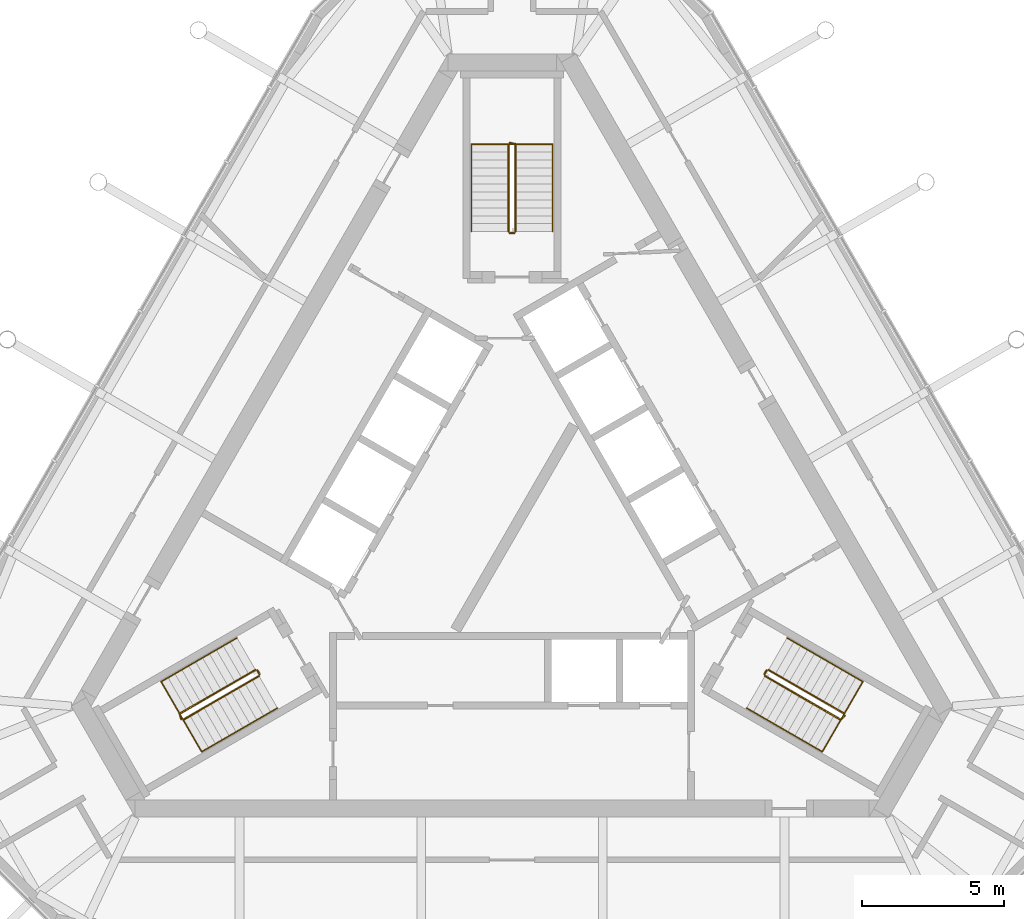
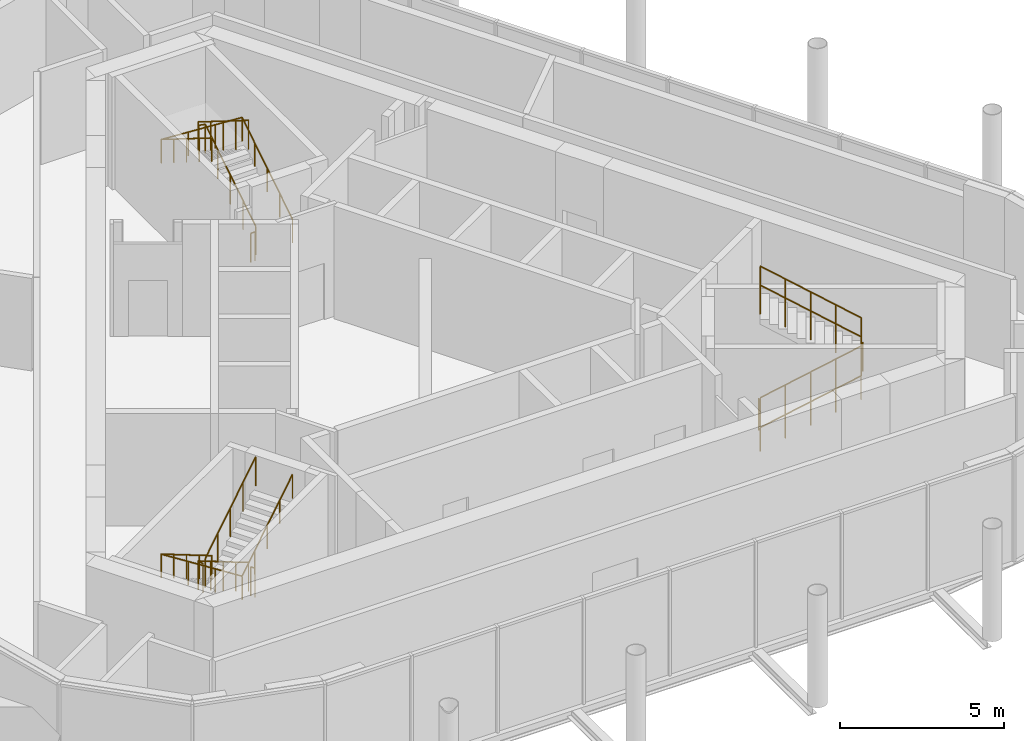
# One storey, part 11 of 11: 12 railings.
"""IFC4 building model written with IfcOpenShell, lengths in metres."""

from ifc_helpers import new_model, si_unit, direction, frame, origin, origin_2d, place, context, subcontext, project, spatial, circle, extrude, material, type_object, element, save


model = new_model("IFC4")

# Units and contexts
model_context = context("Model", 3, precision=1e-05, world=origin(), true_north=direction((0.0, 1.0)))
body_context = subcontext(model_context, "Body", "Model", "MODEL_VIEW")
ifc_project = project(units=[si_unit("LENGTHUNIT", "METRE"), si_unit("AREAUNIT", "SQUARE_METRE"), si_unit("VOLUMEUNIT", "CUBIC_METRE"), si_unit("PLANEANGLEUNIT", "RADIAN"), si_unit("MASSUNIT", "GRAM", prefix="KILO")], contexts=[model_context])

# Site, building, storey
site_placement = place(None, origin())
site = spatial("IfcSite", under=ifc_project, at=site_placement, CompositionType="ELEMENT")
building_placement = place(site_placement, origin())
building = spatial("IfcBuilding", under=site, at=building_placement, Name="Mestral Congress Tower", CompositionType="ELEMENT")
storey_placement = place(building_placement, frame((0.0, 0.0, 340.199951171875)))
storey = spatial("IfcBuildingStorey", under=building, at=storey_placement, Name="L79", CompositionType="ELEMENT", Elevation=340.199951171875)

# Railings
ifc_material_1 = material(Name="Steel balustrade", Category="steel")
railing_type_1 = type_object("IfcRailingType", Name="Stair guard 1100", PredefinedType="GUARDRAIL", material=ifc_material_1)
railing_1_placement = place(storey_placement, frame((8.90087890625, -5.283203125, 0.175048828125)))
element("IfcRailing", 1, at=railing_1_placement, inside=storey, type_object=railing_type_1, Name="L79 ST1 stair guard 1", PredefinedType="GUARDRAIL", context=body_context, shape_type="SweptSolid", body=[
    extrude(circle(Radius=0.02392578125, at=origin_2d()), frame((0.0, 0.0, 1.076171875), z_axis=(0.734364028329, -0.424015404183, 0.530019255228), x_axis=(0.500026652407, 0.866010015463, 0.0)), (0.0, 0.0, 1.0), 3.632080078125),
    extrude(circle(Radius=0.02392578125, at=origin_2d()), frame((2.667236328125, -1.5400390625, 3.0009765625), z_axis=(0.695164929852, 0.718850276695, 0.0), x_axis=(-0.718850276695, 0.695164929852, 0.0)), (0.0, 0.0, 1.0), 0.2060546875),
    extrude(circle(Radius=0.02099609375, at=origin_2d()), origin(), (0.0, 0.0, 1.0), 1.052001953125),
    extrude(circle(Radius=0.02099609375, at=origin_2d()), frame((0.666748046875, -0.385009765625, 0.481201171875)), (0.0, 0.0, 1.0), 1.052001953125),
    extrude(circle(Radius=0.02099609375, at=origin_2d()), frame((1.33349609375, -0.77001953125, 0.96240234375)), (0.0, 0.0, 1.0), 1.052001953125),
    extrude(circle(Radius=0.02099609375, at=origin_2d()), frame((2.00048828125, -1.155029296875, 1.44384765625)), (0.0, 0.0, 1.0), 1.052001953125),
    extrude(circle(Radius=0.02099609375, at=origin_2d()), frame((2.667236328125, -1.5400390625, 1.925048828125)), (0.0, 0.0, 1.0), 1.052001953125),
    extrude(circle(Radius=0.02099609375, at=origin_2d()), frame((2.810546875, -1.391845703125, 1.925048828125)), (0.0, 0.0, 1.0), 1.052001953125),
])
railing_2_placement = place(storey_placement, frame((11.693115234375, -6.606689453125, 2.275146484375)))
element("IfcRailing", 2, at=railing_2_placement, inside=storey, type_object=railing_type_1, Name="L79 ST1 stair guard 2", PredefinedType="GUARDRAIL", context=body_context, shape_type="SweptSolid", body=[
    extrude(circle(Radius=0.02392578125, at=origin_2d()), frame((0.0, 0.0, 1.076171875), z_axis=(-0.734390191396, 0.42403051051, 0.529970917068), x_axis=(-0.500026652407, -0.866010015463, 0.0)), (0.0, 0.0, 1.0), 3.6318359375),
    extrude(circle(Radius=0.02099609375, at=origin_2d()), origin(), (0.0, 0.0, 1.0), 1.052001953125),
    extrude(circle(Radius=0.02099609375, at=origin_2d()), frame((-0.666748046875, 0.385009765625, 0.481201171875)), (0.0, 0.0, 1.0), 1.052001953125),
    extrude(circle(Radius=0.02099609375, at=origin_2d()), frame((-1.33349609375, 0.77001953125, 0.96240234375)), (0.0, 0.0, 1.0), 1.052001953125),
    extrude(circle(Radius=0.02099609375, at=origin_2d()), frame((-2.00048828125, 1.155029296875, 1.443603515625)), (0.0, 0.0, 1.0), 1.052001953125),
    extrude(circle(Radius=0.02099609375, at=origin_2d()), frame((-2.667236328125, 1.5400390625, 1.9248046875)), (0.0, 0.0, 1.0), 1.052001953125),
])
railing_3_placement = place(storey_placement, frame((8.882568359375, -5.21484375, 0.0)))
element("IfcRailing", 3, at=railing_3_placement, inside=storey, type_object=railing_type_1, Name="L79 ST1 stair guard 3", PredefinedType="GUARDRAIL", context=body_context, shape_type="SweptSolid", body=[
    extrude(circle(Radius=0.02392578125, at=origin_2d()), frame((0.0, 0.0, 1.076171875), z_axis=(0.499816412211, 0.866131372301, 0.0), x_axis=(-0.866131372301, 0.499816412211, 0.0)), (0.0, 0.0, 1.0), 0.14990234375),
    extrude(circle(Radius=0.02099609375, at=origin_2d()), origin(), (0.0, 0.0, 1.0), 1.052001953125),
    extrude(circle(Radius=0.02099609375, at=origin_2d()), frame((0.074951171875, 0.1298828125, 0.0)), (0.0, 0.0, 1.0), 1.052001953125),
])
railing_4_placement = place(storey_placement, frame((0.125, 10.35009765625, 0.175048828125)))
element("IfcRailing", 4, at=railing_4_placement, inside=storey, type_object=railing_type_1, Name="L79 ST2 stair guard 1", PredefinedType="GUARDRAIL", context=body_context, shape_type="SweptSolid", body=[
    extrude(circle(Radius=0.02392578125, at=origin_2d()), frame((0.0, 0.0, 1.076171875), z_axis=(0.0, 0.847979421464, 0.530029150871), x_axis=(-1.0, 0.0, 0.0)), (0.0, 0.0, 1.0), 3.632080078125),
    extrude(circle(Radius=0.02392578125, at=origin_2d()), frame((0.0, 3.079833984375, 3.0009765625), z_axis=(-0.970072785993, 0.242814311512, 0.0), x_axis=(-0.242814311512, -0.970072785993, 0.0)), (0.0, 0.0, 1.0), 0.2060546875),
    extrude(circle(Radius=0.02099609375, at=origin_2d()), origin(), (0.0, 0.0, 1.0), 1.052001953125),
    extrude(circle(Radius=0.02099609375, at=origin_2d()), frame((0.0, 0.77001953125, 0.481201171875)), (0.0, 0.0, 1.0), 1.052001953125),
    extrude(circle(Radius=0.02099609375, at=origin_2d()), frame((0.0, 1.5400390625, 0.96240234375)), (0.0, 0.0, 1.0), 1.052001953125),
    extrude(circle(Radius=0.02099609375, at=origin_2d()), frame((0.0, 2.309814453125, 1.44384765625)), (0.0, 0.0, 1.0), 1.052001953125),
    extrude(circle(Radius=0.02099609375, at=origin_2d()), frame((0.0, 3.079833984375, 1.925048828125)), (0.0, 0.0, 1.0), 1.052001953125),
    extrude(circle(Radius=0.02099609375, at=origin_2d()), frame((-0.199951171875, 3.1298828125, 1.925048828125)), (0.0, 0.0, 1.0), 1.052001953125),
])
railing_5_placement = place(storey_placement, frame((-0.125, 13.429931640625, 2.275146484375)))
element("IfcRailing", 5, at=railing_5_placement, inside=storey, type_object=railing_type_1, Name="L79 ST2 stair guard 2", PredefinedType="GUARDRAIL", context=body_context, shape_type="SweptSolid", body=[
    extrude(circle(Radius=0.02392578125, at=origin_2d()), frame((0.0, 0.0, 1.076171875), z_axis=(0.0, -0.848009633417, 0.529980812513), x_axis=(1.0, 0.0, 0.0)), (0.0, 0.0, 1.0), 3.6318359375),
    extrude(circle(Radius=0.02099609375, at=origin_2d()), origin(), (0.0, 0.0, 1.0), 1.052001953125),
    extrude(circle(Radius=0.02099609375, at=origin_2d()), frame((0.0, -0.77001953125, 0.481201171875)), (0.0, 0.0, 1.0), 1.052001953125),
    extrude(circle(Radius=0.02099609375, at=origin_2d()), frame((0.0, -1.5400390625, 0.96240234375)), (0.0, 0.0, 1.0), 1.052001953125),
    extrude(circle(Radius=0.02099609375, at=origin_2d()), frame((0.0, -2.309814453125, 1.443603515625)), (0.0, 0.0, 1.0), 1.052001953125),
    extrude(circle(Radius=0.02099609375, at=origin_2d()), frame((0.0, -3.079833984375, 1.9248046875)), (0.0, 0.0, 1.0), 1.052001953125),
])
railing_6_placement = place(storey_placement, frame((0.074951171875, 10.300048828125, 0.0)))
element("IfcRailing", 6, at=railing_6_placement, inside=storey, type_object=railing_type_1, Name="L79 ST2 stair guard 3", PredefinedType="GUARDRAIL", context=body_context, shape_type="SweptSolid", body=[
    extrude(circle(Radius=0.02392578125, at=origin_2d()), frame((0.0, 0.0, 1.076171875), z_axis=(-1.0, 0.0, 0.0), x_axis=(0.0, -1.0, 0.0)), (0.0, 0.0, 1.0), 0.14990234375),
    extrude(circle(Radius=0.02099609375, at=origin_2d()), origin(), (0.0, 0.0, 1.0), 1.052001953125),
    extrude(circle(Radius=0.02099609375, at=origin_2d()), frame((-0.14990234375, 0.0, 0.0)), (0.0, 0.0, 1.0), 1.052001953125),
])
railing_7_placement = place(storey_placement, frame((-9.02587890625, -5.066650390625, 0.175048828125)))
element("IfcRailing", 7, at=railing_7_placement, inside=storey, type_object=railing_type_1, Name="L79 ST3 stair guard 1", PredefinedType="GUARDRAIL", context=body_context, shape_type="SweptSolid", body=[
    extrude(circle(Radius=0.02392578125, at=origin_2d()), frame((0.0, 0.0, 1.076171875), z_axis=(-0.734364028329, -0.424015404183, 0.530019255228), x_axis=(0.500026652407, -0.866010015463, 0.0)), (0.0, 0.0, 1.0), 3.632080078125),
    extrude(circle(Radius=0.02392578125, at=origin_2d()), frame((-2.667236328125, -1.5400390625, 3.0009765625), z_axis=(0.274721127897, -0.961523947641, 0.0), x_axis=(0.961523947641, 0.274721127897, 0.0)), (0.0, 0.0, 1.0), 0.2060546875),
    extrude(circle(Radius=0.02099609375, at=origin_2d()), origin(), (0.0, 0.0, 1.0), 1.052001953125),
    extrude(circle(Radius=0.02099609375, at=origin_2d()), frame((-0.666748046875, -0.385009765625, 0.481201171875)), (0.0, 0.0, 1.0), 1.052001953125),
    extrude(circle(Radius=0.02099609375, at=origin_2d()), frame((-1.33349609375, -0.77001953125, 0.96240234375)), (0.0, 0.0, 1.0), 1.052001953125),
    extrude(circle(Radius=0.02099609375, at=origin_2d()), frame((-2.00048828125, -1.155029296875, 1.44384765625)), (0.0, 0.0, 1.0), 1.052001953125),
    extrude(circle(Radius=0.02099609375, at=origin_2d()), frame((-2.667236328125, -1.5400390625, 1.925048828125)), (0.0, 0.0, 1.0), 1.052001953125),
    extrude(circle(Radius=0.02099609375, at=origin_2d()), frame((-2.610595703125, -1.73828125, 1.925048828125)), (0.0, 0.0, 1.0), 1.052001953125),
])
railing_8_placement = place(storey_placement, frame((-11.568115234375, -6.8232421875, 2.275146484375)))
element("IfcRailing", 8, at=railing_8_placement, inside=storey, type_object=railing_type_1, Name="L79 ST3 stair guard 2", PredefinedType="GUARDRAIL", context=body_context, shape_type="SweptSolid", body=[
    extrude(circle(Radius=0.02392578125, at=origin_2d()), frame((0.0, 0.0, 1.076171875), z_axis=(0.734390191396, 0.42403051051, 0.529970917068), x_axis=(-0.500026652407, 0.866010015463, 0.0)), (0.0, 0.0, 1.0), 3.6318359375),
    extrude(circle(Radius=0.02099609375, at=origin_2d()), origin(), (0.0, 0.0, 1.0), 1.052001953125),
    extrude(circle(Radius=0.02099609375, at=origin_2d()), frame((0.666748046875, 0.385009765625, 0.481201171875)), (0.0, 0.0, 1.0), 1.052001953125),
    extrude(circle(Radius=0.02099609375, at=origin_2d()), frame((1.33349609375, 0.77001953125, 0.96240234375)), (0.0, 0.0, 1.0), 1.052001953125),
    extrude(circle(Radius=0.02099609375, at=origin_2d()), frame((2.00048828125, 1.155029296875, 1.443603515625)), (0.0, 0.0, 1.0), 1.052001953125),
    extrude(circle(Radius=0.02099609375, at=origin_2d()), frame((2.667236328125, 1.5400390625, 1.9248046875)), (0.0, 0.0, 1.0), 1.052001953125),
])
railing_9_placement = place(storey_placement, frame((-8.95751953125, -5.0849609375, 0.0)))
element("IfcRailing", 9, at=railing_9_placement, inside=storey, type_object=railing_type_1, Name="L79 ST3 stair guard 3", PredefinedType="GUARDRAIL", context=body_context, shape_type="SweptSolid", body=[
    extrude(circle(Radius=0.02392578125, at=origin_2d()), frame((0.0, 0.0, 1.076171875), z_axis=(0.499816412211, -0.866131372301, 0.0), x_axis=(0.866131372301, 0.499816412211, 0.0)), (0.0, 0.0, 1.0), 0.14990234375),
    extrude(circle(Radius=0.02099609375, at=origin_2d()), origin(), (0.0, 0.0, 1.0), 1.052001953125),
    extrude(circle(Radius=0.02099609375, at=origin_2d()), frame((0.074951171875, -0.1298828125, 0.0)), (0.0, 0.0, 1.0), 1.052001953125),
])
ifc_material_2 = material(Name="Steel handrail", Category="steel")
railing_type_2 = type_object("IfcRailingType", Name="Stair handrail 900", PredefinedType="HANDRAIL", material=ifc_material_2)
railing_10_placement = place(storey_placement, frame((8.2509765625, -6.4091796875, 0.175048828125)))
element("IfcRailing", 10, at=railing_10_placement, inside=storey, type_object=railing_type_2, Name="L79 ST1 stair handrail 1", PredefinedType="HANDRAIL", context=body_context, shape_type="SweptSolid", body=[
    extrude(circle(Radius=0.02392578125, at=origin_2d()), frame((0.0, 0.0, 0.8759765625), z_axis=(0.734384958227, -0.423960268333, 0.530034361155), x_axis=(0.499967199496, 0.866044340336, 0.0)), (0.0, 0.0, 1.0), 3.6318359375),
    extrude(circle(Radius=0.02392578125, at=origin_2d()), frame((2.667236328125, -1.539794921875, 2.80078125), z_axis=(0.499095769026, 0.864375386171, 0.061307463833), x_axis=(-0.866004402611, 0.500036373335, 0.0)), (0.0, 0.0, 1.0), 2.855224609375),
    extrude(circle(Radius=0.02392578125, at=origin_2d()), frame((4.09228515625, 0.92822265625, 2.97607421875), z_axis=(-0.734421155904, 0.424009578203, 0.529944755001), x_axis=(-0.499992328818, -0.866029832698, 0.0)), (0.0, 0.0, 1.0), 3.632080078125),
    extrude(circle(Radius=0.02099609375, at=origin_2d()), origin(), (0.0, 0.0, 1.0), 0.851806640625),
    extrude(circle(Radius=0.02099609375, at=origin_2d()), frame((0.666748046875, -0.385009765625, 0.481201171875)), (0.0, 0.0, 1.0), 0.851806640625),
    extrude(circle(Radius=0.02099609375, at=origin_2d()), frame((1.33349609375, -0.77001953125, 0.96240234375)), (0.0, 0.0, 1.0), 0.851806640625),
    extrude(circle(Radius=0.02099609375, at=origin_2d()), frame((2.00048828125, -1.15478515625, 1.44384765625)), (0.0, 0.0, 1.0), 0.851806640625),
    extrude(circle(Radius=0.02099609375, at=origin_2d()), frame((2.667236328125, -1.539794921875, 1.925048828125)), (0.0, 0.0, 1.0), 0.851806640625),
    extrude(circle(Radius=0.02099609375, at=origin_2d()), frame((3.142333984375, -0.717041015625, 1.9833984375)), (0.0, 0.0, 1.0), 0.851806640625),
    extrude(circle(Radius=0.02099609375, at=origin_2d()), frame((3.6171875, 0.10546875, 2.041748046875)), (0.0, 0.0, 1.0), 0.851806640625),
    extrude(circle(Radius=0.02099609375, at=origin_2d()), frame((4.09228515625, 0.92822265625, 2.10009765625)), (0.0, 0.0, 1.0), 0.851806640625),
    extrude(circle(Radius=0.02099609375, at=origin_2d()), frame((3.42529296875, 1.313232421875, 2.581298828125)), (0.0, 0.0, 1.0), 0.851806640625),
    extrude(circle(Radius=0.02099609375, at=origin_2d()), frame((2.758544921875, 1.6982421875, 3.0625)), (0.0, 0.0, 1.0), 0.851806640625),
    extrude(circle(Radius=0.02099609375, at=origin_2d()), frame((2.091796875, 2.083251953125, 3.543701171875)), (0.0, 0.0, 1.0), 0.851806640625),
    extrude(circle(Radius=0.02099609375, at=origin_2d()), frame((1.4248046875, 2.46826171875, 4.02490234375)), (0.0, 0.0, 1.0), 0.851806640625),
])
railing_11_placement = place(storey_placement, frame((1.425048828125, 10.35009765625, 0.175048828125)))
element("IfcRailing", 11, at=railing_11_placement, inside=storey, type_object=railing_type_2, Name="L79 ST2 stair handrail 1", PredefinedType="HANDRAIL", context=body_context, shape_type="SweptSolid", body=[
    extrude(circle(Radius=0.02392578125, at=origin_2d()), frame((0.0, 0.0, 0.8759765625), z_axis=(0.0, 0.847979421464, 0.530029150871), x_axis=(-1.0, 0.0, 0.0)), (0.0, 0.0, 1.0), 3.632080078125),
    extrude(circle(Radius=0.02392578125, at=origin_2d()), frame((0.0, 3.079833984375, 2.80078125), z_axis=(-0.998119201106, 0.0, 0.061303021003), x_axis=(0.0, -1.0, 0.0)), (0.0, 0.0, 1.0), 2.85546875),
    extrude(circle(Radius=0.02392578125, at=origin_2d()), frame((-2.85009765625, 3.079833984375, 2.97607421875), z_axis=(0.0, -0.848009633417, 0.529980812513), x_axis=(1.0, 0.0, 0.0)), (0.0, 0.0, 1.0), 3.6318359375),
    extrude(circle(Radius=0.02099609375, at=origin_2d()), origin(), (0.0, 0.0, 1.0), 0.851806640625),
    extrude(circle(Radius=0.02099609375, at=origin_2d()), frame((0.0, 0.77001953125, 0.481201171875)), (0.0, 0.0, 1.0), 0.851806640625),
    extrude(circle(Radius=0.02099609375, at=origin_2d()), frame((0.0, 1.5400390625, 0.96240234375)), (0.0, 0.0, 1.0), 0.851806640625),
    extrude(circle(Radius=0.02099609375, at=origin_2d()), frame((0.0, 2.309814453125, 1.44384765625)), (0.0, 0.0, 1.0), 0.851806640625),
    extrude(circle(Radius=0.02099609375, at=origin_2d()), frame((0.0, 3.079833984375, 1.925048828125)), (0.0, 0.0, 1.0), 0.851806640625),
    extrude(circle(Radius=0.02099609375, at=origin_2d()), frame((-0.949951171875, 3.079833984375, 1.9833984375)), (0.0, 0.0, 1.0), 0.851806640625),
    extrude(circle(Radius=0.02099609375, at=origin_2d()), frame((-1.900146484375, 3.079833984375, 2.041748046875)), (0.0, 0.0, 1.0), 0.851806640625),
    extrude(circle(Radius=0.02099609375, at=origin_2d()), frame((-2.85009765625, 3.079833984375, 2.10009765625)), (0.0, 0.0, 1.0), 0.851806640625),
    extrude(circle(Radius=0.02099609375, at=origin_2d()), frame((-2.85009765625, 2.309814453125, 2.581298828125)), (0.0, 0.0, 1.0), 0.851806640625),
    extrude(circle(Radius=0.02099609375, at=origin_2d()), frame((-2.85009765625, 1.5400390625, 3.0625)), (0.0, 0.0, 1.0), 0.851806640625),
    extrude(circle(Radius=0.02099609375, at=origin_2d()), frame((-2.85009765625, 0.77001953125, 3.543701171875)), (0.0, 0.0, 1.0), 0.851806640625),
    extrude(circle(Radius=0.02099609375, at=origin_2d()), frame((-2.85009765625, 0.0, 4.02490234375)), (0.0, 0.0, 1.0), 0.851806640625),
])
railing_12_placement = place(storey_placement, frame((-9.67578125, -3.94091796875, 0.175048828125)))
element("IfcRailing", 12, at=railing_12_placement, inside=storey, type_object=railing_type_2, Name="L79 ST3 stair handrail 1", PredefinedType="HANDRAIL", context=body_context, shape_type="SweptSolid", body=[
    extrude(circle(Radius=0.02392578125, at=origin_2d()), frame((0.0, 0.0, 0.8759765625), z_axis=(-0.734394994316, -0.423994474112, 0.52999309264), x_axis=(0.499992328818, -0.866029832698, 0.0)), (0.0, 0.0, 1.0), 3.63232421875),
    extrude(circle(Radius=0.02392578125, at=origin_2d()), frame((-2.66748046875, -1.5400390625, 2.80078125), z_axis=(0.499095769026, -0.864375386171, 0.061307463833), x_axis=(0.866004402611, 0.500036373335, 0.0)), (0.0, 0.0, 1.0), 2.855224609375),
    extrude(circle(Radius=0.02392578125, at=origin_2d()), frame((-1.242431640625, -4.008056640625, 2.97607421875), z_axis=(0.734411123532, 0.423975373557, 0.529986022693), x_axis=(-0.499967199496, 0.866044340336, 0.0)), (0.0, 0.0, 1.0), 3.6318359375),
    extrude(circle(Radius=0.02099609375, at=origin_2d()), origin(), (0.0, 0.0, 1.0), 0.851806640625),
    extrude(circle(Radius=0.02099609375, at=origin_2d()), frame((-0.6669921875, -0.385009765625, 0.481201171875)), (0.0, 0.0, 1.0), 0.851806640625),
    extrude(circle(Radius=0.02099609375, at=origin_2d()), frame((-1.333740234375, -0.77001953125, 0.96240234375)), (0.0, 0.0, 1.0), 0.851806640625),
    extrude(circle(Radius=0.02099609375, at=origin_2d()), frame((-2.00048828125, -1.155029296875, 1.44384765625)), (0.0, 0.0, 1.0), 0.851806640625),
    extrude(circle(Radius=0.02099609375, at=origin_2d()), frame((-2.66748046875, -1.5400390625, 1.925048828125)), (0.0, 0.0, 1.0), 0.851806640625),
    extrude(circle(Radius=0.02099609375, at=origin_2d()), frame((-2.1923828125, -2.36279296875, 1.9833984375)), (0.0, 0.0, 1.0), 0.851806640625),
    extrude(circle(Radius=0.02099609375, at=origin_2d()), frame((-1.717529296875, -3.185302734375, 2.041748046875)), (0.0, 0.0, 1.0), 0.851806640625),
    extrude(circle(Radius=0.02099609375, at=origin_2d()), frame((-1.242431640625, -4.008056640625, 2.10009765625)), (0.0, 0.0, 1.0), 0.851806640625),
    extrude(circle(Radius=0.02099609375, at=origin_2d()), frame((-0.57568359375, -3.623046875, 2.581298828125)), (0.0, 0.0, 1.0), 0.851806640625),
    extrude(circle(Radius=0.02099609375, at=origin_2d()), frame((0.09130859375, -3.23828125, 3.0625)), (0.0, 0.0, 1.0), 0.851806640625),
    extrude(circle(Radius=0.02099609375, at=origin_2d()), frame((0.758056640625, -2.853271484375, 3.543701171875)), (0.0, 0.0, 1.0), 0.851806640625),
    extrude(circle(Radius=0.02099609375, at=origin_2d()), frame((1.4248046875, -2.46826171875, 4.02490234375)), (0.0, 0.0, 1.0), 0.851806640625),
])

save(model, "model.ifc")
